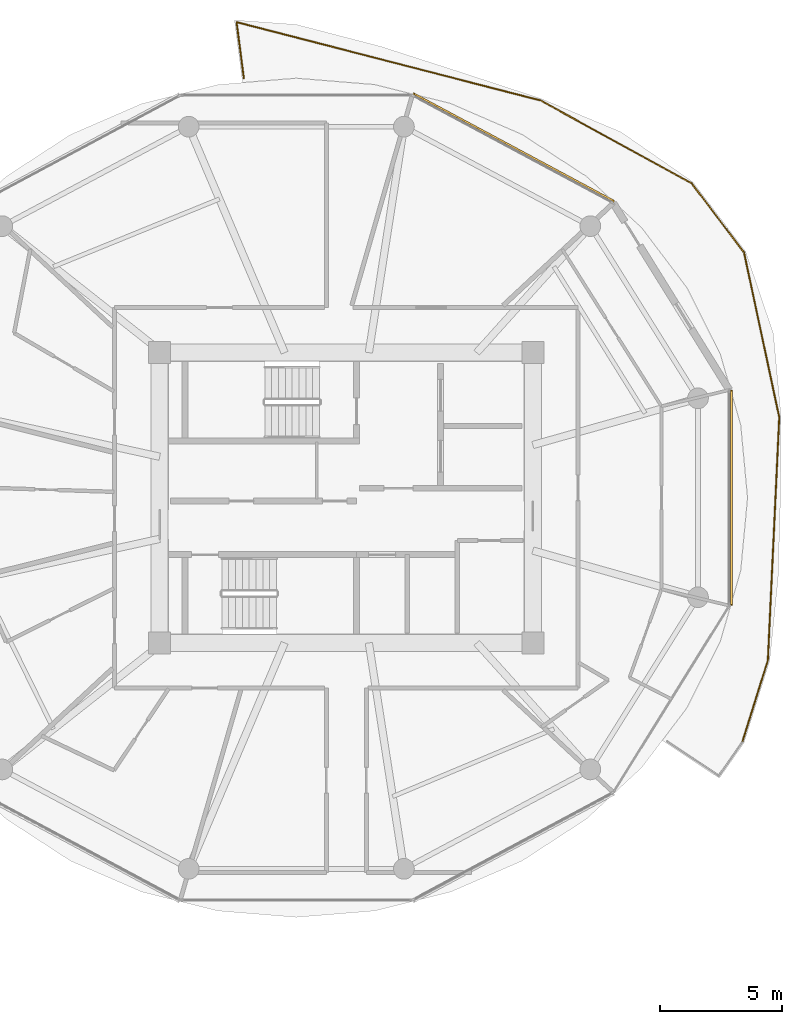
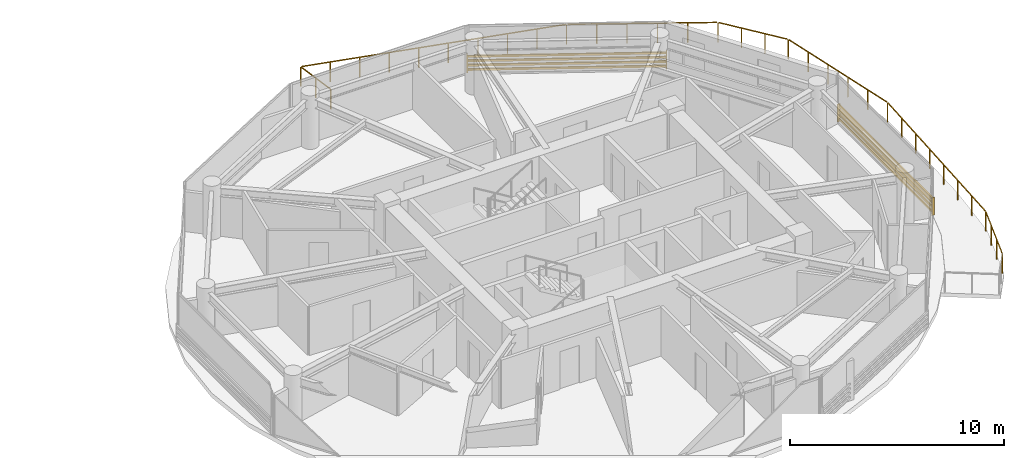
# One storey, part 24 of 24: 2 shading devices, 1 railing.
"""IFC4 building model written with IfcOpenShell, lengths in metres."""

from ifc_helpers import new_model, si_unit, direction, frame, origin, origin_2d, place, context, subcontext, project, spatial, rectangle, extrude, source, transform, mapped, material, type_object, type_shapes, element, save


model = new_model("IFC4")

# Units and contexts
model_context = context("Model", 3, precision=1e-05, world=origin(), true_north=direction((0.0, 1.0)))
body_context = subcontext(model_context, "Body", "Model", "MODEL_VIEW")
ifc_project = project(units=[si_unit("LENGTHUNIT", "METRE"), si_unit("AREAUNIT", "SQUARE_METRE"), si_unit("VOLUMEUNIT", "CUBIC_METRE"), si_unit("PLANEANGLEUNIT", "RADIAN"), si_unit("MASSUNIT", "GRAM", prefix="KILO")], contexts=[model_context])

# Site, building, storey
site_placement = place(None, origin())
site = spatial("IfcSite", under=ifc_project, at=site_placement, CompositionType="ELEMENT")
building_placement = place(site_placement, origin())
building = spatial("IfcBuilding", under=site, at=building_placement, Name="Norrkilde Senior Care Towers", CompositionType="ELEMENT")
storey_placement = place(building_placement, frame((0.0, 0.0, 102.35009765625)))
storey = spatial("IfcBuildingStorey", under=building, at=storey_placement, Name="L31", CompositionType="ELEMENT", Elevation=102.35009765625)

# Railing
ifc_material_1 = material(Name="Anodised Aluminium", Category="aluminium")
railing_type = type_object("IfcRailingType", Name="Balcony Swirl Ribbon Guardrail 1150", PredefinedType="GUARDRAIL", material=ifc_material_1)
railing_placement = place(storey_placement, frame((23.7998046875, 17.20556640625, 0.0)))
element("IfcRailing", 1, at=railing_placement, inside=storey, type_object=railing_type, Name="L31 Perimeter Safety Guard 02", PredefinedType="GUARDRAIL", context=body_context, shape_type="SweptSolid", body=[
    extrude(rectangle(XDim=0.048095703125, YDim=0.048095703125, at=origin_2d()), frame((0.0, 0.0, 1.1259765625), z_axis=(-0.128613547686, 0.991694789414, 0.0), x_axis=(-0.991694789414, -0.128613547686, 0.0)), (0.0, 0.0, 1.0), 2.27490234375),
    extrude(rectangle(XDim=0.048095703125, YDim=0.048095703125, at=origin_2d()), frame((-0.25830078125, 2.286376953125, 1.1259765625), z_axis=(0.968365971012, -0.249534258544, 0.0), x_axis=(0.249534258544, 0.968365971012, 0.0)), (0.0, 0.0, 1.0), 12.784912109375),
    extrude(rectangle(XDim=0.048095703125, YDim=0.048095703125, at=origin_2d()), frame((12.19775390625, -0.933837890625, 1.1259765625), z_axis=(0.876558274304, -0.4812957425, 0.0), x_axis=(0.4812957425, 0.876558274304, 0.0)), (0.0, 0.0, 1.0), 6.989990234375),
    extrude(rectangle(XDim=0.048095703125, YDim=0.048095703125, at=origin_2d()), frame((18.38525390625, -4.35009765625, 1.1259765625), z_axis=(0.604093160475, -0.796913705157, 0.0), x_axis=(0.796913705157, 0.604093160475, 0.0)), (0.0, 0.0, 1.0), 3.470947265625),
    extrude(rectangle(XDim=0.048095703125, YDim=0.048095703125, at=origin_2d()), frame((20.515380859375, -7.18896484375, 1.1259765625), z_axis=(0.209000688518, -0.977915493383, 0.0), x_axis=(0.977915493383, 0.209000688518, 0.0)), (0.0, 0.0, 1.0), 6.828857421875),
    extrude(rectangle(XDim=0.048095703125, YDim=0.048095703125, at=origin_2d()), frame((21.94921875, -13.94775390625, 1.1259765625), z_axis=(-0.046769375736, -0.998905714016, 0.0), x_axis=(0.998905714016, -0.046769375736, 0.0)), (0.0, 0.0, 1.0), 9.888671875),
    extrude(rectangle(XDim=0.048095703125, YDim=0.048095703125, at=origin_2d()), frame((21.47265625, -23.905517578125, 1.1259765625), z_axis=(-0.298104932556, -0.954533105338, 0.0), x_axis=(0.954533105338, -0.298104932556, 0.0)), (0.0, 0.0, 1.0), 3.47412109375),
    extrude(rectangle(XDim=0.0419921875, YDim=0.0419921875, at=origin_2d()), origin(), (0.0, 0.0, 1.0), 1.099853515625),
    extrude(rectangle(XDim=0.0419921875, YDim=0.0419921875, at=origin_2d()), frame((-0.14892578125, 1.1484375, 0.0)), (0.0, 0.0, 1.0), 1.099853515625),
    extrude(rectangle(XDim=0.0419921875, YDim=0.0419921875, at=origin_2d()), frame((-0.2978515625, 2.296630859375, 0.0)), (0.0, 0.0, 1.0), 1.099853515625),
    extrude(rectangle(XDim=0.0419921875, YDim=0.0419921875, at=origin_2d()), frame((1.086669921875, 1.93994140625, 0.0)), (0.0, 0.0, 1.0), 1.099853515625),
    extrude(rectangle(XDim=0.0419921875, YDim=0.0419921875, at=origin_2d()), frame((2.470947265625, 1.583251953125, 0.0)), (0.0, 0.0, 1.0), 1.099853515625),
    extrude(rectangle(XDim=0.0419921875, YDim=0.0419921875, at=origin_2d()), frame((3.85546875, 1.226318359375, 0.0)), (0.0, 0.0, 1.0), 1.099853515625),
    extrude(rectangle(XDim=0.0419921875, YDim=0.0419921875, at=origin_2d()), frame((5.23974609375, 0.86962890625, 0.0)), (0.0, 0.0, 1.0), 1.099853515625),
    extrude(rectangle(XDim=0.0419921875, YDim=0.0419921875, at=origin_2d()), frame((6.624267578125, 0.512939453125, 0.0)), (0.0, 0.0, 1.0), 1.099853515625),
    extrude(rectangle(XDim=0.0419921875, YDim=0.0419921875, at=origin_2d()), frame((8.008544921875, 0.15625, 0.0)), (0.0, 0.0, 1.0), 1.099853515625),
    extrude(rectangle(XDim=0.0419921875, YDim=0.0419921875, at=origin_2d()), frame((9.39306640625, -0.20068359375, 0.0)), (0.0, 0.0, 1.0), 1.099853515625),
    extrude(rectangle(XDim=0.0419921875, YDim=0.0419921875, at=origin_2d()), frame((10.77734375, -0.557373046875, 0.0)), (0.0, 0.0, 1.0), 1.099853515625),
    extrude(rectangle(XDim=0.0419921875, YDim=0.0419921875, at=origin_2d()), frame((12.161865234375, -0.9140625, 0.0)), (0.0, 0.0, 1.0), 1.099853515625),
    extrude(rectangle(XDim=0.0419921875, YDim=0.0419921875, at=origin_2d()), frame((13.401611328125, -1.5947265625, 0.0)), (0.0, 0.0, 1.0), 1.099853515625),
    extrude(rectangle(XDim=0.0419921875, YDim=0.0419921875, at=origin_2d()), frame((14.641357421875, -2.275390625, 0.0)), (0.0, 0.0, 1.0), 1.099853515625),
    extrude(rectangle(XDim=0.0419921875, YDim=0.0419921875, at=origin_2d()), frame((15.881103515625, -2.956298828125, 0.0)), (0.0, 0.0, 1.0), 1.099853515625),
    extrude(rectangle(XDim=0.0419921875, YDim=0.0419921875, at=origin_2d()), frame((17.120849609375, -3.636962890625, 0.0)), (0.0, 0.0, 1.0), 1.099853515625),
    extrude(rectangle(XDim=0.0419921875, YDim=0.0419921875, at=origin_2d()), frame((18.360595703125, -4.317626953125, 0.0)), (0.0, 0.0, 1.0), 1.099853515625),
    extrude(rectangle(XDim=0.0419921875, YDim=0.0419921875, at=origin_2d()), frame((19.075927734375, -5.261474609375, 0.0)), (0.0, 0.0, 1.0), 1.099853515625),
    extrude(rectangle(XDim=0.0419921875, YDim=0.0419921875, at=origin_2d()), frame((19.79150390625, -6.205078125, 0.0)), (0.0, 0.0, 1.0), 1.099853515625),
    extrude(rectangle(XDim=0.0419921875, YDim=0.0419921875, at=origin_2d()), frame((20.5068359375, -7.14892578125, 0.0)), (0.0, 0.0, 1.0), 1.099853515625),
    extrude(rectangle(XDim=0.0419921875, YDim=0.0419921875, at=origin_2d()), frame((20.795654296875, -8.50048828125, 0.0)), (0.0, 0.0, 1.0), 1.099853515625),
    extrude(rectangle(XDim=0.0419921875, YDim=0.0419921875, at=origin_2d()), frame((21.08447265625, -9.85205078125, 0.0)), (0.0, 0.0, 1.0), 1.099853515625),
    extrude(rectangle(XDim=0.0419921875, YDim=0.0419921875, at=origin_2d()), frame((21.37353515625, -11.203857421875, 0.0)), (0.0, 0.0, 1.0), 1.099853515625),
    extrude(rectangle(XDim=0.0419921875, YDim=0.0419921875, at=origin_2d()), frame((21.662353515625, -12.555419921875, 0.0)), (0.0, 0.0, 1.0), 1.099853515625),
    extrude(rectangle(XDim=0.0419921875, YDim=0.0419921875, at=origin_2d()), frame((21.951171875, -13.906982421875, 0.0)), (0.0, 0.0, 1.0), 1.099853515625),
    extrude(rectangle(XDim=0.0419921875, YDim=0.0419921875, at=origin_2d()), frame((21.884521484375, -15.329833984375, 0.0)), (0.0, 0.0, 1.0), 1.099853515625),
    extrude(rectangle(XDim=0.0419921875, YDim=0.0419921875, at=origin_2d()), frame((21.81787109375, -16.75244140625, 0.0)), (0.0, 0.0, 1.0), 1.099853515625),
    extrude(rectangle(XDim=0.0419921875, YDim=0.0419921875, at=origin_2d()), frame((21.751220703125, -18.17529296875, 0.0)), (0.0, 0.0, 1.0), 1.099853515625),
    extrude(rectangle(XDim=0.0419921875, YDim=0.0419921875, at=origin_2d()), frame((21.684814453125, -19.59814453125, 0.0)), (0.0, 0.0, 1.0), 1.099853515625),
    extrude(rectangle(XDim=0.0419921875, YDim=0.0419921875, at=origin_2d()), frame((21.6181640625, -21.02099609375, 0.0)), (0.0, 0.0, 1.0), 1.099853515625),
    extrude(rectangle(XDim=0.0419921875, YDim=0.0419921875, at=origin_2d()), frame((21.551513671875, -22.443603515625, 0.0)), (0.0, 0.0, 1.0), 1.099853515625),
    extrude(rectangle(XDim=0.0419921875, YDim=0.0419921875, at=origin_2d()), frame((21.48486328125, -23.866455078125, 0.0)), (0.0, 0.0, 1.0), 1.099853515625),
    extrude(rectangle(XDim=0.0419921875, YDim=0.0419921875, at=origin_2d()), frame((21.135498046875, -24.98486328125, 0.0)), (0.0, 0.0, 1.0), 1.099853515625),
    extrude(rectangle(XDim=0.0419921875, YDim=0.0419921875, at=origin_2d()), frame((20.786376953125, -26.103271484375, 0.0)), (0.0, 0.0, 1.0), 1.099853515625),
    extrude(rectangle(XDim=0.0419921875, YDim=0.0419921875, at=origin_2d()), frame((20.43701171875, -27.2216796875, 0.0)), (0.0, 0.0, 1.0), 1.099853515625),
])

# Shading devices
ifc_material_2 = material(Name="Architectural Terracotta", Category="masonry")
shading_device_type = type_object("IfcShadingDeviceType", Name="Horizontal Terracotta Baguette Rack", PredefinedType="USERDEFINED", material=ifc_material_2)
shared_shape_1 = source(origin(), body_context, "Body", "SweptSolid", [
    extrude(rectangle(XDim=0.070068359375, YDim=0.110107421875, at=origin_2d()), frame((0.0, 0.090087890625, 0.125), z_axis=(1.0, 0.0, 0.0), x_axis=(0.0, 1.0, 0.0)), (0.0, 0.0, 1.0), 9.3505859375),
    extrude(rectangle(XDim=0.070068359375, YDim=0.110107421875, at=origin_2d()), frame((0.0, 0.090087890625, 0.375), z_axis=(1.0, 0.0, 0.0), x_axis=(0.0, 1.0, 0.0)), (0.0, 0.0, 1.0), 9.3505859375),
    extrude(rectangle(XDim=0.070068359375, YDim=0.110107421875, at=origin_2d()), frame((0.0, 0.090087890625, 0.625), z_axis=(1.0, 0.0, 0.0), x_axis=(0.0, 1.0, 0.0)), (0.0, 0.0, 1.0), 9.3505859375),
    extrude(rectangle(XDim=0.070068359375, YDim=0.110107421875, at=origin_2d()), frame((0.0, 0.090087890625, 0.875), z_axis=(1.0, 0.0, 0.0), x_axis=(0.0, 1.0, 0.0)), (0.0, 0.0, 1.0), 9.3505859375),
    extrude(rectangle(XDim=0.050048828125, YDim=0.1552734375, at=origin_2d()), frame((0.02490234375, 0.047607421875, 0.0)), (0.0, 0.0, 1.0), 1.0),
    extrude(rectangle(XDim=0.050048828125, YDim=0.1552734375, at=origin_2d()), frame((9.32568359375, 0.047607421875, 0.0)), (0.0, 0.0, 1.0), 1.0),
])
shading_device_1_placement = place(storey_placement, frame((30.70703125, 16.498046875, 0.079833984375), z_axis=(0.0, 0.0, 1.0), x_axis=(0.881174934726, -0.472767624021, 0.0)))
element("IfcShadingDevice", 2, at=shading_device_1_placement, inside=storey, type_object=shading_device_type, Name="L31 Drum E Terracotta Baguette Screen 01", ObjectType="BAGUETTE", PredefinedType="USERDEFINED", context=body_context, shape_type="MappedRepresentation", body=[
    mapped(shared_shape_1, transform((0.0, 0.0, 0.0), x_axis=(1.0, 0.0, 0.0), y_axis=(0.0, 1.0, 0.0), z_axis=(0.0, 0.0, 1.0), scale=1.0)),
])
shared_shape_2 = source(origin(), body_context, "Body", "SweptSolid", [
    extrude(rectangle(XDim=0.070068359375, YDim=0.110107421875, at=origin_2d()), frame((0.0, 0.090087890625, 0.125), z_axis=(1.0, 0.0, 0.0), x_axis=(0.0, 1.0, 0.0)), (0.0, 0.0, 1.0), 8.84130859375),
    extrude(rectangle(XDim=0.070068359375, YDim=0.110107421875, at=origin_2d()), frame((0.0, 0.090087890625, 0.375), z_axis=(1.0, 0.0, 0.0), x_axis=(0.0, 1.0, 0.0)), (0.0, 0.0, 1.0), 8.84130859375),
    extrude(rectangle(XDim=0.070068359375, YDim=0.110107421875, at=origin_2d()), frame((0.0, 0.090087890625, 0.625), z_axis=(1.0, 0.0, 0.0), x_axis=(0.0, 1.0, 0.0)), (0.0, 0.0, 1.0), 8.84130859375),
    extrude(rectangle(XDim=0.070068359375, YDim=0.110107421875, at=origin_2d()), frame((0.0, 0.090087890625, 0.875), z_axis=(1.0, 0.0, 0.0), x_axis=(0.0, 1.0, 0.0)), (0.0, 0.0, 1.0), 8.84130859375),
    extrude(rectangle(XDim=0.050048828125, YDim=0.1552734375, at=origin_2d()), frame((0.02490234375, 0.047607421875, 0.0)), (0.0, 0.0, 1.0), 1.0),
    extrude(rectangle(XDim=0.050048828125, YDim=0.1552734375, at=origin_2d()), frame((8.81640625, 0.047607421875, 0.0)), (0.0, 0.0, 1.0), 1.0),
])
type_shapes(shading_device_type, [shared_shape_1, shared_shape_2])
shading_device_2_placement = place(storey_placement, frame((43.70361328125, 4.420654296875, 0.079833984375), z_axis=(0.0, 0.0, 1.0), x_axis=(0.0, -1.0, 0.0)))
element("IfcShadingDevice", 3, at=shading_device_2_placement, inside=storey, type_object=shading_device_type, Name="L31 Drum E Terracotta Baguette Screen 11", ObjectType="BAGUETTE", PredefinedType="USERDEFINED", context=body_context, shape_type="MappedRepresentation", body=[
    mapped(shared_shape_2, transform((0.0, 0.0, 0.0), x_axis=(1.0, 0.0, 0.0), y_axis=(0.0, 1.0, 0.0), z_axis=(0.0, 0.0, 1.0), scale=1.0)),
])

save(model, "model.ifc")
